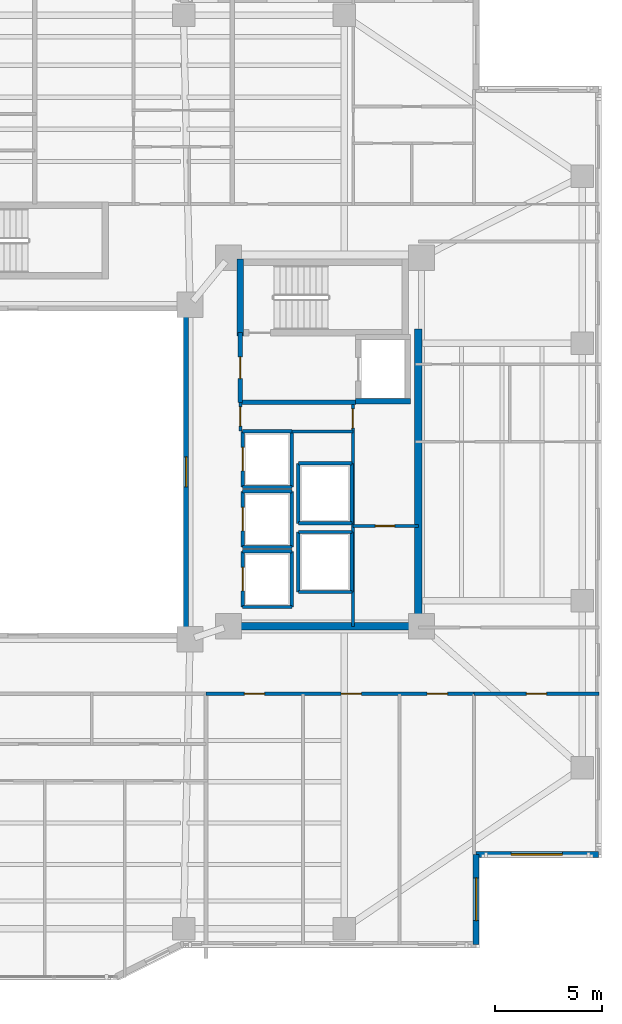
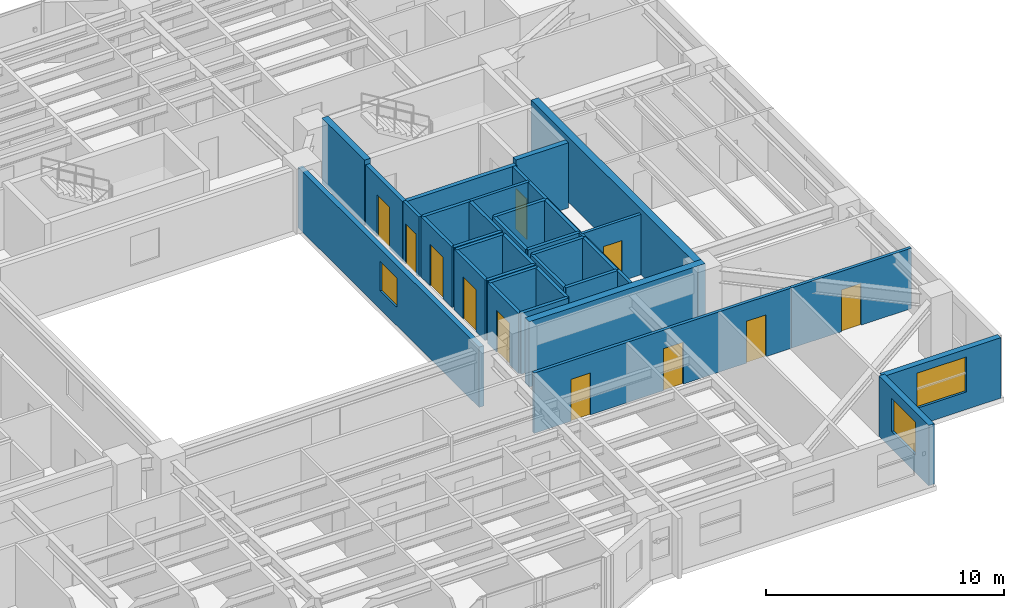
# One storey, part 8 of 18: 35 walls, 11 doors, 3 windows, 14 openings.
"""IFC4 building model written with IfcOpenShell, lengths in metres."""

from ifc_helpers import new_model, si_unit, direction, frame, frame_2d, origin, place, context, subcontext, project, spatial, rectangle, extrude, material, layer, layer_set, type_object, element, fill, save


model = new_model("IFC4")

# Units and contexts
model_context = context("Model", 3, precision=1e-05, world=origin(), true_north=direction((0.0, 1.0)))
body_context = subcontext(model_context, "Body", "Model", "MODEL_VIEW")
ifc_project = project(units=[si_unit("LENGTHUNIT", "METRE"), si_unit("AREAUNIT", "SQUARE_METRE"), si_unit("VOLUMEUNIT", "CUBIC_METRE"), si_unit("PLANEANGLEUNIT", "RADIAN"), si_unit("MASSUNIT", "GRAM", prefix="KILO")], contexts=[model_context])

# Site, building, storey
site_placement = place(None, origin())
site = spatial("IfcSite", under=ifc_project, at=site_placement, CompositionType="ELEMENT")
building_placement = place(site_placement, origin())
building = spatial("IfcBuilding", under=site, at=building_placement, Name="Tarnavaz Court Tower", CompositionType="ELEMENT")
storey_placement = place(building_placement, frame((0.0, 0.0, 91.699951171875)))
storey = spatial("IfcBuildingStorey", under=building, at=storey_placement, Name="L24", CompositionType="ELEMENT", Elevation=91.699951171875)

# Walls
ifc_material_1 = material(Name="Concrete C60/75", Category="concrete")
ifc_layer_1 = layer(ifc_material_1, 0.25)
ifc_layer_set_1 = layer_set([ifc_layer_1], Name="Concrete C60/75")
wall_type_1 = type_object("IfcWallType", Name="WL-CORE-250-C60", PredefinedType="SHEAR", material=ifc_layer_set_1)
wall_1_placement = place(storey_placement, frame((15.52490234375, 3.300048828125, 0.0), z_axis=(0.0, 0.0, 1.0), x_axis=(1.0, 0.0, 0.0)))
element("IfcWall", 1, at=wall_1_placement, inside=storey, type_object=wall_type_1, Name="L24 Lift FL-E1 Shaft Wall 035", PredefinedType="SHEAR", context=body_context, shape_type="SweptSolid", body=[
    extrude(rectangle(XDim=2.550048828125, YDim=0.25, at=frame_2d((1.27490234375, 0.0))), origin(), (0.0, 0.0, 1.0), 3.35009765625),
])
ifc_layer_2 = layer(ifc_material_1, 0.300048828125)
ifc_layer_set_2 = layer_set([ifc_layer_2], Name="Concrete C60/75")
wall_type_2 = type_object("IfcWallType", Name="WL-CORE-300-C60", PredefinedType="SHEAR", material=ifc_layer_set_2)
wall_2_placement = place(storey_placement, frame((10.14990234375, 6.35009765625, 0.0), z_axis=(0.0, 0.0, 1.0), x_axis=(0.0, 1.0, 0.0)))
element("IfcWall", 2, at=wall_2_placement, inside=storey, type_object=wall_type_2, Name="L24 East Stair Core Wall 007", PredefinedType="SHEAR", context=body_context, shape_type="SweptSolid", body=[
    extrude(rectangle(XDim=3.58984375, YDim=0.300048828125, at=frame_2d((1.794921875, 0.0))), origin(), (0.0, 0.0, 1.0), 3.35009765625),
])
ifc_layer_3 = layer(ifc_material_1, 0.35009765625)
ifc_layer_set_3 = layer_set([ifc_layer_3], Name="Concrete C60/75")
wall_type_3 = type_object("IfcWallType", Name="WL-CORE-350-C60", PredefinedType="SHEAR", material=ifc_layer_set_3)
wall_3_placement = place(storey_placement, frame((18.449951171875, -7.375, 0.0), z_axis=(0.0, 0.0, 1.0), x_axis=(0.0, 1.0, 0.0)))
element("IfcWall", 3, at=wall_3_placement, inside=storey, type_object=wall_type_3, Name="L24 East Core Shear Wall 059", PredefinedType="SHEAR", context=body_context, shape_type="SweptSolid", body=[
    extrude(rectangle(XDim=14.050048828125, YDim=0.35009765625, at=frame_2d((7.02490234375, 0.0))), origin(), (0.0, 0.0, 1.0), 3.35009765625),
])
wall_4_placement = place(storey_placement, frame((10.074951171875, -7.199951171875, 0.0), z_axis=(0.0, 0.0, 1.0), x_axis=(1.0, 0.0, 0.0)))
element("IfcWall", 4, at=wall_4_placement, inside=storey, type_object=wall_type_3, Name="L24 East Core South Shear Wall 060", PredefinedType="SHEAR", context=body_context, shape_type="SweptSolid", body=[
    extrude(rectangle(XDim=8.550048828125, YDim=0.35009765625, at=frame_2d((4.27490234375, 0.0))), origin(), (0.0, 0.0, 1.0), 3.35009765625),
])

# Wall, opening, window
ifc_material_2 = material(Name="Precast Concrete C40/50", Category="concrete")
ifc_layer_4 = layer(ifc_material_2, 0.280029296875)
ifc_layer_set_4 = layer_set([ifc_layer_4], Name="Precast Concrete C40/50")
wall_type_4 = type_object("IfcWallType", Name="WL-EXT-280", PredefinedType="SOLIDWALL", material=ifc_layer_set_4)
wall_5_placement = place(storey_placement, frame((26.85009765625, -17.85009765625, 0.0), z_axis=(0.0, 0.0, 1.0), x_axis=(-1.0, 0.0, 0.0)))
wall_5 = element("IfcWall", 5, at=wall_5_placement, inside=storey, type_object=wall_type_4, Name="L24 Exterior Terracotta Facade Wall 13", PredefinedType="SOLIDWALL", context=body_context, shape_type="SweptSolid", body=[
    extrude(rectangle(XDim=5.7001953125, YDim=0.280029296875, at=frame_2d((2.85009765625, 0.0))), origin(), (0.0, 0.0, 1.0), 3.10009765625),
])
opening_1_placement = place(wall_5_placement, frame((1.675048828125, 0.0, 0.89990234375)))
opening_1 = element("IfcOpeningElement", 6, at=opening_1_placement, cuts=wall_5, Name="Opening W06", PredefinedType="OPENING", context=body_context, shape_type="SweptSolid", body=[
    extrude(rectangle(XDim=2.39990234375, YDim=1.800048828125, at=frame_2d((1.199951171875, 0.89990234375))), frame((0.0, 0.14990234375, 0.0), z_axis=(0.0, -1.0, 0.0), x_axis=(1.0, 0.0, 0.0)), (0.0, 0.0, 1.0), 0.300048828125),
])
ifc_material_3 = material(Name="Double-Glazed Solar Low-E Glass", Category="glass")
window_type_1 = type_object("IfcWindowType", Name="WN-APT-2400", PartitioningType="TRIPLE_PANEL_VERTICAL", PredefinedType="WINDOW", material=ifc_material_3)
window_1_placement = place(opening_1_placement, origin())
window_1 = element("IfcWindow", 7, at=window_1_placement, inside=storey, type_object=window_type_1, Name="L24 South-East Corner Reading Room Window", OverallHeight=1.800048828125, OverallWidth=2.39990234375, PartitioningType="SINGLE_PANEL", PredefinedType="WINDOW", context=body_context, shape_type="SweptSolid", body=[
    extrude(rectangle(XDim=2.39990234375, YDim=1.800048828125, at=frame_2d((1.199951171875, 0.89990234375))), frame((0.0, 0.030029296875, 0.0), z_axis=(0.0, -1.0, 0.0), x_axis=(1.0, 0.0, 0.0)), (0.0, 0.0, 1.0), 0.06005859375),
])
fill(opening_1, window_1)

wall_6_placement = place(storey_placement, frame((21.14990234375, -17.85009765625, 0.0), z_axis=(0.0, 0.0, 1.0), x_axis=(0.0, -1.0, 0.0)))
wall_6 = element("IfcWall", 8, at=wall_6_placement, inside=storey, type_object=wall_type_4, Name="L24 Exterior Terracotta Facade Wall 14", PredefinedType="SOLIDWALL", context=body_context, shape_type="SweptSolid", body=[
    extrude(rectangle(XDim=4.199951171875, YDim=0.280029296875, at=frame_2d((2.10009765625, 0.0))), origin(), (0.0, 0.0, 1.0), 3.10009765625),
])
opening_2_placement = place(wall_6_placement, frame((1.082275390625, 0.0, 0.89990234375)))
opening_2 = element("IfcOpeningElement", 9, at=opening_2_placement, cuts=wall_6, Name="Opening W08", PredefinedType="OPENING", context=body_context, shape_type="SweptSolid", body=[
    extrude(rectangle(XDim=2.0, YDim=1.699951171875, at=frame_2d((1.0, 0.85009765625))), frame((0.0, 0.14990234375, 0.0), z_axis=(0.0, -1.0, 0.0), x_axis=(1.0, 0.0, 0.0)), (0.0, 0.0, 1.0), 0.300048828125),
])
window_type_2 = type_object("IfcWindowType", Name="WN-APT-2000", PartitioningType="DOUBLE_PANEL_VERTICAL", PredefinedType="WINDOW", material=ifc_material_3)
window_2_placement = place(opening_2_placement, origin())
window_2 = element("IfcWindow", 10, at=window_2_placement, inside=storey, type_object=window_type_2, Name="L24 Resident Focus Seminar Room Window", OverallHeight=1.699951171875, OverallWidth=2.0, PartitioningType="SINGLE_PANEL", PredefinedType="WINDOW", context=body_context, shape_type="SweptSolid", body=[
    extrude(rectangle(XDim=2.0, YDim=1.699951171875, at=frame_2d((1.0, 0.85009765625))), frame((0.0, 0.030029296875, 0.0), z_axis=(0.0, -1.0, 0.0), x_axis=(1.0, 0.0, 0.0)), (0.0, 0.0, 1.0), 0.06005859375),
])
fill(opening_2, window_2)

# Wall, openings, doors
ifc_material_4 = material(Name="Gypsum Fire-Board on Acoustic Metal Stud", Category="masonry")
ifc_layer_5 = layer(ifc_material_4, 0.14990234375)
ifc_layer_set_5 = layer_set([ifc_layer_5], Name="Gypsum Fire-Board on Acoustic Metal Stud")
wall_type_5 = type_object("IfcWallType", Name="WL-FIRE-150", PredefinedType="PARTITIONING", material=ifc_layer_set_5)
wall_7_placement = place(storey_placement, frame((8.550048828125, -10.35009765625, 0.0), z_axis=(0.0, 0.0, 1.0), x_axis=(1.0, 0.0, 0.0)))
wall_7 = element("IfcWall", 11, at=wall_7_placement, inside=storey, type_object=wall_type_5, Name="L24 SE Horseshoe Wall 074", PredefinedType="PARTITIONING", context=body_context, shape_type="SweptSolid", body=[
    extrude(rectangle(XDim=12.5, YDim=0.14990234375, at=frame_2d((6.25, 0.0))), origin(), (0.0, 0.0, 1.0), 3.10009765625),
])
opening_3_placement = place(wall_7_placement, frame((1.785888671875, 0.0, 0.0)))
opening_3 = element("IfcOpeningElement", 12, at=opening_3_placement, cuts=wall_7, Name="Opening D13", PredefinedType="OPENING", context=body_context, shape_type="SweptSolid", body=[
    extrude(rectangle(XDim=0.949951171875, YDim=2.14990234375, at=frame_2d((0.47509765625, 1.074951171875))), frame((0.0, 0.0849609375, 0.0), z_axis=(0.0, -1.0, 0.0), x_axis=(1.0, 0.0, 0.0)), (0.0, 0.0, 1.0), 0.169921875),
])
opening_4_placement = place(wall_7_placement, frame((6.298095703125, 0.0, 0.0)))
opening_4 = element("IfcOpeningElement", 13, at=opening_4_placement, cuts=wall_7, Name="Opening D13", PredefinedType="OPENING", context=body_context, shape_type="SweptSolid", body=[
    extrude(rectangle(XDim=0.949951171875, YDim=2.14990234375, at=frame_2d((0.47509765625, 1.074951171875))), frame((0.0, 0.0849609375, 0.0), z_axis=(0.0, -1.0, 0.0), x_axis=(1.0, 0.0, 0.0)), (0.0, 0.0, 1.0), 0.169921875),
])
opening_5_placement = place(wall_7_placement, frame((10.31201171875, 0.0, 0.0)))
opening_5 = element("IfcOpeningElement", 14, at=opening_5_placement, cuts=wall_7, Name="Opening D13", PredefinedType="OPENING", context=body_context, shape_type="SweptSolid", body=[
    extrude(rectangle(XDim=0.949951171875, YDim=2.14990234375, at=frame_2d((0.47509765625, 1.074951171875))), frame((0.0, 0.0849609375, 0.0), z_axis=(0.0, -1.0, 0.0), x_axis=(1.0, 0.0, 0.0)), (0.0, 0.0, 1.0), 0.169921875),
])
ifc_material_5 = material(Name="Engineered Oak Timber", Category="wood")
door_type_1 = type_object("IfcDoorType", Name="DR-INT-950", OperationType="NOTDEFINED", PredefinedType="DOOR", material=ifc_material_5)
door_1_placement = place(opening_3_placement, origin())
door_1 = element("IfcDoor", 15, at=door_1_placement, inside=storey, type_object=door_type_1, Name="L24 Resident Co-Working Study Room Door", OperationType="SINGLE_SWING_LEFT", OverallHeight=2.14990234375, OverallWidth=0.949951171875, PredefinedType="DOOR", context=body_context, shape_type="SweptSolid", body=[
    extrude(rectangle(XDim=0.949951171875, YDim=2.14990234375, at=frame_2d((0.47509765625, 1.074951171875))), frame((0.0, 0.02490234375, 0.0), z_axis=(0.0, -1.0, 0.0), x_axis=(1.0, 0.0, 0.0)), (0.0, 0.0, 1.0), 0.050048828125),
])
fill(opening_3, door_1)
door_2_placement = place(opening_4_placement, origin())
door_2 = element("IfcDoor", 16, at=door_2_placement, inside=storey, type_object=door_type_1, Name="L24 Quiet Reading Library Room Door", OperationType="SINGLE_SWING_RIGHT", OverallHeight=2.14990234375, OverallWidth=0.949951171875, PredefinedType="DOOR", context=body_context, shape_type="SweptSolid", body=[
    extrude(rectangle(XDim=0.949951171875, YDim=2.14990234375, at=frame_2d((0.47509765625, 1.074951171875))), frame((0.0, 0.02490234375, 0.0), z_axis=(0.0, -1.0, 0.0), x_axis=(1.0, 0.0, 0.0)), (0.0, 0.0, 1.0), 0.050048828125),
])
fill(opening_4, door_2)
door_3_placement = place(opening_5_placement, origin())
door_3 = element("IfcDoor", 17, at=door_3_placement, inside=storey, type_object=door_type_1, Name="L24 Resident Focus Seminar Room Door", OperationType="SINGLE_SWING_LEFT", OverallHeight=2.14990234375, OverallWidth=0.949951171875, PredefinedType="DOOR", context=body_context, shape_type="SweptSolid", body=[
    extrude(rectangle(XDim=0.949951171875, YDim=2.14990234375, at=frame_2d((0.47509765625, 1.074951171875))), frame((0.0, 0.02490234375, 0.0), z_axis=(0.0, -1.0, 0.0), x_axis=(1.0, 0.0, 0.0)), (0.0, 0.0, 1.0), 0.050048828125),
])
fill(opening_5, door_3)

# Wall, opening, door
wall_8_placement = place(storey_placement, frame((21.050048828125, -10.35009765625, 0.0), z_axis=(0.0, 0.0, 1.0), x_axis=(1.0, 0.0, 0.0)))
wall_8 = element("IfcWall", 18, at=wall_8_placement, inside=storey, type_object=wall_type_5, Name="L24 Interior Partition 119", PredefinedType="PARTITIONING", context=body_context, shape_type="SweptSolid", body=[
    extrude(rectangle(XDim=5.829833984375, YDim=0.14990234375, at=frame_2d((2.9150390625, 0.0))), origin(), (0.0, 0.0, 1.0), 3.10009765625),
])
opening_6_placement = place(wall_8_placement, frame((2.43994140625, 0.0, 0.0)))
opening_6 = element("IfcOpeningElement", 19, at=opening_6_placement, cuts=wall_8, Name="Opening D13", PredefinedType="OPENING", context=body_context, shape_type="SweptSolid", body=[
    extrude(rectangle(XDim=0.949951171875, YDim=2.14990234375, at=frame_2d((0.47509765625, 1.074951171875))), frame((0.0, 0.0849609375, 0.0), z_axis=(0.0, -1.0, 0.0), x_axis=(1.0, 0.0, 0.0)), (0.0, 0.0, 1.0), 0.169921875),
])
door_4_placement = place(opening_6_placement, origin())
door_4 = element("IfcDoor", 20, at=door_4_placement, inside=storey, type_object=door_type_1, Name="L24 SE Reading Room Door", OperationType="SINGLE_SWING_RIGHT", OverallHeight=2.14990234375, OverallWidth=0.949951171875, PredefinedType="DOOR", context=body_context, shape_type="SweptSolid", body=[
    extrude(rectangle(XDim=0.949951171875, YDim=2.14990234375, at=frame_2d((0.47509765625, 1.074951171875))), frame((0.0, 0.02490234375, 0.0), z_axis=(0.0, -1.0, 0.0), x_axis=(1.0, 0.0, 0.0)), (0.0, 0.0, 1.0), 0.050048828125),
])
fill(opening_6, door_4)

# Wall
ifc_material_6 = material(Name="Autoclaved Aerated Concrete Blockwork", Category="masonry")
ifc_layer_6 = layer(ifc_material_6, 0.199951171875)
ifc_layer_set_6 = layer_set([ifc_layer_6], Name="Autoclaved Aerated Concrete Blockwork")
wall_type_6 = type_object("IfcWallType", Name="WL-FIRE-200", PredefinedType="SOLIDWALL", material=ifc_layer_set_6)
wall_9_placement = place(storey_placement, frame((10.14990234375, 3.25, 0.0), z_axis=(0.0, 0.0, 1.0), x_axis=(1.0, 0.0, 0.0)))
element("IfcWall", 21, at=wall_9_placement, inside=storey, type_object=wall_type_6, Name="L24 East Firefighting Lobby Wall 015", PredefinedType="SOLIDWALL", context=body_context, shape_type="SweptSolid", body=[
    extrude(rectangle(XDim=5.400146484375, YDim=0.199951171875, at=frame_2d((2.7001953125, 0.0))), origin(), (0.0, 0.0, 1.0), 3.10009765625),
])

# Wall, opening, door
wall_10_placement = place(storey_placement, frame((10.14990234375, 3.25, 0.0), z_axis=(0.0, 0.0, 1.0), x_axis=(0.0, 1.0, 0.0)))
wall_10 = element("IfcWall", 22, at=wall_10_placement, inside=storey, type_object=wall_type_6, Name="L24 East Firefighting Lobby Wall 016", PredefinedType="SOLIDWALL", context=body_context, shape_type="SweptSolid", body=[
    extrude(rectangle(XDim=3.25, YDim=0.199951171875, at=frame_2d((1.625, 0.0))), origin(), (0.0, 0.0, 1.0), 3.10009765625),
])
opening_7_placement = place(wall_10_placement, frame((1.10009765625, 0.0, 0.0)))
opening_7 = element("IfcOpeningElement", 23, at=opening_7_placement, cuts=wall_10, Name="Opening D05", PredefinedType="OPENING", context=body_context, shape_type="SweptSolid", body=[
    extrude(rectangle(XDim=1.02001953125, YDim=2.14990234375, at=frame_2d((0.510009765625, 1.074951171875))), frame((0.0, 0.10986328125, 0.0), z_axis=(0.0, -1.0, 0.0), x_axis=(1.0, 0.0, 0.0)), (0.0, 0.0, 1.0), 0.219970703125),
])
ifc_material_7 = material(Name="Fire-Rated Hardwood Timber Core", Category="wood")
door_type_2 = type_object("IfcDoorType", Name="DR-FD60-1000", OperationType="NOTDEFINED", PredefinedType="DOOR", material=ifc_material_7)
door_5_placement = place(opening_7_placement, origin())
door_5 = element("IfcDoor", 24, at=door_5_placement, inside=storey, type_object=door_type_2, Name="L24 East Firefighting Lobby Door", OperationType="SINGLE_SWING_LEFT", OverallHeight=2.14990234375, OverallWidth=1.02001953125, PredefinedType="DOOR", context=body_context, shape_type="SweptSolid", body=[
    extrude(rectangle(XDim=1.02001953125, YDim=2.14990234375, at=frame_2d((0.510009765625, 1.074951171875))), frame((0.0, 0.02490234375, 0.0), z_axis=(0.0, -1.0, 0.0), x_axis=(1.0, 0.0, 0.0)), (0.0, 0.0, 1.0), 0.050048828125),
])
fill(opening_7, door_5)

# Wall
ifc_material_8 = material(Name="Gypsum Plasterboard Acoustic Partition", Category="masonry")
ifc_layer_7 = layer(ifc_material_8, 0.139892578125)
ifc_layer_set_7 = layer_set([ifc_layer_7], Name="Gypsum Plasterboard Acoustic Partition")
wall_type_7 = type_object("IfcWallType", Name="WL-PART-150", PredefinedType="PARTITIONING", material=ifc_layer_set_7)
wall_11_placement = place(storey_placement, frame((12.550048828125, 1.89990234375, 0.0), z_axis=(0.0, 0.0, 1.0), x_axis=(1.0, 0.0, 0.0)))
element("IfcWall", 25, at=wall_11_placement, inside=storey, type_object=wall_type_7, Name="L24 Interior Partition 067", PredefinedType="PARTITIONING", context=body_context, shape_type="SweptSolid", body=[
    extrude(rectangle(XDim=2.849853515625, YDim=0.139892578125, at=frame_2d((1.4248046875, 0.0))), origin(), (0.0, 0.0, 1.0), 3.10009765625),
])

# Wall, opening, door
wall_12_placement = place(storey_placement, frame((10.14990234375, 1.919921875, 0.0), z_axis=(0.0, 0.0, 1.0), x_axis=(0.0, 1.0, 0.0)))
wall_12 = element("IfcWall", 26, at=wall_12_placement, inside=storey, type_object=wall_type_7, Name="L24 Interior Partition 068", PredefinedType="PARTITIONING", context=body_context, shape_type="SweptSolid", body=[
    extrude(rectangle(XDim=1.330078125, YDim=0.139892578125, at=frame_2d((0.6650390625, 0.0))), origin(), (0.0, 0.0, 1.0), 3.10009765625),
])
opening_8_placement = place(wall_12_placement, frame((0.219970703125, 0.0, 0.0)))
opening_8 = element("IfcOpeningElement", 27, at=opening_8_placement, cuts=wall_12, Name="Opening D09", PredefinedType="OPENING", context=body_context, shape_type="SweptSolid", body=[
    extrude(rectangle(XDim=0.89990234375, YDim=2.080078125, at=frame_2d((0.449951171875, 1.0400390625))), frame((0.0, 0.079833984375, 0.0), z_axis=(0.0, -1.0, 0.0), x_axis=(1.0, 0.0, 0.0)), (0.0, 0.0, 1.0), 0.159912109375),
])
door_type_3 = type_object("IfcDoorType", Name="DR-FD30-900", OperationType="NOTDEFINED", PredefinedType="DOOR", material=ifc_material_7)
door_6_placement = place(opening_8_placement, origin())
door_6 = element("IfcDoor", 28, at=door_6_placement, inside=storey, type_object=door_type_3, Name="L24 East Core Service Lobby Door", OperationType="SINGLE_SWING_RIGHT", OverallHeight=2.080078125, OverallWidth=0.89990234375, PredefinedType="DOOR", context=body_context, shape_type="SweptSolid", body=[
    extrude(rectangle(XDim=0.89990234375, YDim=2.080078125, at=frame_2d((0.449951171875, 1.0400390625))), frame((0.0, 0.02490234375, 0.0), z_axis=(0.0, -1.0, 0.0), x_axis=(1.0, 0.0, 0.0)), (0.0, 0.0, 1.0), 0.050048828125),
])
fill(opening_8, door_6)

wall_13_placement = place(storey_placement, frame((15.39990234375, -7.199951171875, 0.0), z_axis=(0.0, 0.0, 1.0), x_axis=(0.0, 1.0, 0.0)))
wall_13 = element("IfcWall", 29, at=wall_13_placement, inside=storey, type_object=wall_type_7, Name="L24 Interior Partition 069", PredefinedType="PARTITIONING", context=body_context, shape_type="SweptSolid", body=[
    extrude(rectangle(XDim=10.449951171875, YDim=0.139892578125, at=frame_2d((5.22509765625, 0.0))), origin(), (0.0, 0.0, 1.0), 3.10009765625),
])
opening_9_placement = place(wall_13_placement, frame((9.25, 0.0, 0.0)))
opening_9 = element("IfcOpeningElement", 30, at=opening_9_placement, cuts=wall_13, Name="Opening D09", PredefinedType="OPENING", context=body_context, shape_type="SweptSolid", body=[
    extrude(rectangle(XDim=0.89990234375, YDim=2.080078125, at=frame_2d((0.449951171875, 1.0400390625))), frame((0.0, 0.079833984375, 0.0), z_axis=(0.0, -1.0, 0.0), x_axis=(1.0, 0.0, 0.0)), (0.0, 0.0, 1.0), 0.159912109375),
])
door_7_placement = place(opening_9_placement, origin())
door_7 = element("IfcDoor", 31, at=door_7_placement, inside=storey, type_object=door_type_3, Name="L24 East Wet Riser Door", OperationType="SINGLE_SWING_LEFT", OverallHeight=2.080078125, OverallWidth=0.89990234375, PredefinedType="DOOR", context=body_context, shape_type="SweptSolid", body=[
    extrude(rectangle(XDim=0.89990234375, YDim=2.080078125, at=frame_2d((0.449951171875, 1.0400390625))), frame((0.0, 0.02490234375, 0.0), z_axis=(0.0, -1.0, 0.0), x_axis=(1.0, 0.0, 0.0)), (0.0, 0.0, 1.0), 0.050048828125),
])
fill(opening_9, door_7)

wall_14_placement = place(storey_placement, frame((15.39990234375, -2.52001953125, 0.0), z_axis=(0.0, 0.0, 1.0), x_axis=(1.0, 0.0, 0.0)))
wall_14 = element("IfcWall", 32, at=wall_14_placement, inside=storey, type_object=wall_type_7, Name="L24 Interior Partition 070", PredefinedType="PARTITIONING", context=body_context, shape_type="SweptSolid", body=[
    extrude(rectangle(XDim=3.050048828125, YDim=0.139892578125, at=frame_2d((1.52490234375, 0.0))), origin(), (0.0, 0.0, 1.0), 3.10009765625),
])
opening_10_placement = place(wall_14_placement, frame((1.050048828125, 0.0, 0.0)))
opening_10 = element("IfcOpeningElement", 33, at=opening_10_placement, cuts=wall_14, Name="Opening D09", PredefinedType="OPENING", context=body_context, shape_type="SweptSolid", body=[
    extrude(rectangle(XDim=0.89990234375, YDim=2.080078125, at=frame_2d((0.449951171875, 1.0400390625))), frame((0.0, 0.079833984375, 0.0), z_axis=(0.0, -1.0, 0.0), x_axis=(1.0, 0.0, 0.0)), (0.0, 0.0, 1.0), 0.159912109375),
])
door_8_placement = place(opening_10_placement, origin())
door_8 = element("IfcDoor", 34, at=door_8_placement, inside=storey, type_object=door_type_3, Name="L24 East Electrical Plant Door", OperationType="SINGLE_SWING_RIGHT", OverallHeight=2.080078125, OverallWidth=0.89990234375, PredefinedType="DOOR", context=body_context, shape_type="SweptSolid", body=[
    extrude(rectangle(XDim=0.89990234375, YDim=2.080078125, at=frame_2d((0.449951171875, 1.0400390625))), frame((0.0, 0.02490234375, 0.0), z_axis=(0.0, -1.0, 0.0), x_axis=(1.0, 0.0, 0.0)), (0.0, 0.0, 1.0), 0.050048828125),
])
fill(opening_10, door_8)

ifc_layer_8 = layer(ifc_material_6, 0.159912109375)
ifc_layer_set_8 = layer_set([ifc_layer_8], Name="Autoclaved Aerated Concrete Blockwork")
wall_type_8 = type_object("IfcWallType", Name="WL-SHAFT-150", PredefinedType="SOLIDWALL", material=ifc_layer_set_8)
wall_15_placement = place(storey_placement, frame((10.25, -6.300048828125, 0.0), z_axis=(0.0, 0.0, 1.0), x_axis=(0.0, 1.0, 0.0)))
wall_15 = element("IfcWall", 35, at=wall_15_placement, inside=storey, type_object=wall_type_8, Name="L24 Lift PL-M1 Shaft Wall 037", PredefinedType="SOLIDWALL", context=body_context, shape_type="SweptSolid", body=[
    extrude(rectangle(XDim=2.60009765625, YDim=0.159912109375, at=frame_2d((1.300048828125, 0.0))), origin(), (0.0, 0.0, 1.0), 3.10009765625),
])
opening_11_placement = place(wall_15_placement, frame((0.75, 0.0, 0.0)))
opening_11 = element("IfcOpeningElement", 36, at=opening_11_placement, cuts=wall_15, Name="Opening LD1", PredefinedType="OPENING", context=body_context, shape_type="SweptSolid", body=[
    extrude(rectangle(XDim=1.10009765625, YDim=2.14990234375, at=frame_2d((0.550048828125, 1.074951171875))), frame((0.0, 0.08984375, 0.0), z_axis=(0.0, -1.0, 0.0), x_axis=(1.0, 0.0, 0.0)), (0.0, 0.0, 1.0), 0.179931640625),
])
ifc_material_9 = material(Name="Stainless Steel", Category="steel")
door_type_4 = type_object("IfcDoorType", Name="DR-LD-1100", OperationType="NOTDEFINED", PredefinedType="DOOR", material=ifc_material_9)
door_9_placement = place(opening_11_placement, origin())
door_9 = element("IfcDoor", 37, at=door_9_placement, inside=storey, type_object=door_type_4, Name="L24 Lift Landing Door LD-PL-M1", OperationType="SLIDING_TO_LEFT", OverallHeight=2.14990234375, OverallWidth=1.10009765625, PredefinedType="DOOR", context=body_context, shape_type="SweptSolid", body=[
    extrude(rectangle(XDim=1.10009765625, YDim=2.14990234375, at=frame_2d((0.550048828125, 1.074951171875))), frame((0.0, 0.02490234375, 0.0), z_axis=(0.0, -1.0, 0.0), x_axis=(1.0, 0.0, 0.0)), (0.0, 0.0, 1.0), 0.050048828125),
])
fill(opening_11, door_9)

# Walls
wall_16_placement = place(storey_placement, frame((12.550048828125, -6.300048828125, 0.0), z_axis=(0.0, 0.0, 1.0), x_axis=(0.0, 1.0, 0.0)))
element("IfcWall", 38, at=wall_16_placement, inside=storey, type_object=wall_type_8, Name="L24 Lift PL-M1 Shaft Wall 038", PredefinedType="SOLIDWALL", context=body_context, shape_type="SweptSolid", body=[
    extrude(rectangle(XDim=2.60009765625, YDim=0.159912109375, at=frame_2d((1.300048828125, 0.0))), origin(), (0.0, 0.0, 1.0), 3.10009765625),
])
for number, where, z_axis, x_axis, name in (
    (39, (10.25, -6.300048828125, 0.0), (0.0, 0.0, 1.0), (1.0, 0.0, 0.0), "L24 Lift PL-M1 Shaft Wall 039"),
    (40, (10.25, -3.699951171875, 0.0), (0.0, 0.0, 1.0), (1.0, 0.0, 0.0), "L24 Lift PL-M1 Shaft Wall 040"),
):
    element("IfcWall", number, at=place(storey_placement, frame(where, z_axis=z_axis, x_axis=x_axis)), inside=storey, type_object=wall_type_8, Name=name, PredefinedType="SOLIDWALL", context=body_context, shape_type="SweptSolid", body=[
        extrude(rectangle(XDim=2.300048828125, YDim=0.159912109375, at=frame_2d((1.14990234375, 0.0))), origin(), (0.0, 0.0, 1.0), 3.10009765625),
    ])

# Wall, opening, door
wall_17_placement = place(storey_placement, frame((10.25, -3.5, 0.0), z_axis=(0.0, 0.0, 1.0), x_axis=(0.0, 1.0, 0.0)))
wall_17 = element("IfcWall", 41, at=wall_17_placement, inside=storey, type_object=wall_type_8, Name="L24 Lift PL-M2 Shaft Wall 041", PredefinedType="SOLIDWALL", context=body_context, shape_type="SweptSolid", body=[
    extrude(rectangle(XDim=2.60009765625, YDim=0.159912109375, at=frame_2d((1.300048828125, 0.0))), origin(), (0.0, 0.0, 1.0), 3.10009765625),
])
opening_12_placement = place(wall_17_placement, frame((0.75, 0.0, 0.0)))
opening_12 = element("IfcOpeningElement", 42, at=opening_12_placement, cuts=wall_17, Name="Opening LD1", PredefinedType="OPENING", context=body_context, shape_type="SweptSolid", body=[
    extrude(rectangle(XDim=1.10009765625, YDim=2.14990234375, at=frame_2d((0.550048828125, 1.074951171875))), frame((0.0, 0.08984375, 0.0), z_axis=(0.0, -1.0, 0.0), x_axis=(1.0, 0.0, 0.0)), (0.0, 0.0, 1.0), 0.179931640625),
])
door_10_placement = place(opening_12_placement, origin())
door_10 = element("IfcDoor", 43, at=door_10_placement, inside=storey, type_object=door_type_4, Name="L24 Lift Landing Door LD-PL-M2", OperationType="SLIDING_TO_LEFT", OverallHeight=2.14990234375, OverallWidth=1.10009765625, PredefinedType="DOOR", context=body_context, shape_type="SweptSolid", body=[
    extrude(rectangle(XDim=1.10009765625, YDim=2.14990234375, at=frame_2d((0.550048828125, 1.074951171875))), frame((0.0, 0.02490234375, 0.0), z_axis=(0.0, -1.0, 0.0), x_axis=(1.0, 0.0, 0.0)), (0.0, 0.0, 1.0), 0.050048828125),
])
fill(opening_12, door_10)

# Walls
wall_18_placement = place(storey_placement, frame((12.550048828125, -3.5, 0.0), z_axis=(0.0, 0.0, 1.0), x_axis=(0.0, 1.0, 0.0)))
element("IfcWall", 44, at=wall_18_placement, inside=storey, type_object=wall_type_8, Name="L24 Lift PL-M2 Shaft Wall 042", PredefinedType="SOLIDWALL", context=body_context, shape_type="SweptSolid", body=[
    extrude(rectangle(XDim=2.60009765625, YDim=0.159912109375, at=frame_2d((1.300048828125, 0.0))), origin(), (0.0, 0.0, 1.0), 3.10009765625),
])
for number, where, z_axis, x_axis, name in (
    (45, (10.25, -3.5, 0.0), (0.0, 0.0, 1.0), (1.0, 0.0, 0.0), "L24 Lift PL-M2 Shaft Wall 043"),
    (46, (10.25, -0.89990234375, 0.0), (0.0, 0.0, 1.0), (1.0, 0.0, 0.0), "L24 Lift PL-M2 Shaft Wall 044"),
):
    element("IfcWall", number, at=place(storey_placement, frame(where, z_axis=z_axis, x_axis=x_axis)), inside=storey, type_object=wall_type_8, Name=name, PredefinedType="SOLIDWALL", context=body_context, shape_type="SweptSolid", body=[
        extrude(rectangle(XDim=2.300048828125, YDim=0.159912109375, at=frame_2d((1.14990234375, 0.0))), origin(), (0.0, 0.0, 1.0), 3.10009765625),
    ])

# Wall, opening, door
wall_19_placement = place(storey_placement, frame((10.25, -0.699951171875, 0.0), z_axis=(0.0, 0.0, 1.0), x_axis=(0.0, 1.0, 0.0)))
wall_19 = element("IfcWall", 47, at=wall_19_placement, inside=storey, type_object=wall_type_8, Name="L24 Lift PL-M3 Shaft Wall 045", PredefinedType="SOLIDWALL", context=body_context, shape_type="SweptSolid", body=[
    extrude(rectangle(XDim=2.599853515625, YDim=0.159912109375, at=frame_2d((1.2998046875, 0.0))), origin(), (0.0, 0.0, 1.0), 3.10009765625),
])
opening_13_placement = place(wall_19_placement, frame((0.75, 0.0, 0.0)))
opening_13 = element("IfcOpeningElement", 48, at=opening_13_placement, cuts=wall_19, Name="Opening LD1", PredefinedType="OPENING", context=body_context, shape_type="SweptSolid", body=[
    extrude(rectangle(XDim=1.10009765625, YDim=2.14990234375, at=frame_2d((0.550048828125, 1.074951171875))), frame((0.0, 0.08984375, 0.0), z_axis=(0.0, -1.0, 0.0), x_axis=(1.0, 0.0, 0.0)), (0.0, 0.0, 1.0), 0.179931640625),
])
door_11_placement = place(opening_13_placement, origin())
door_11 = element("IfcDoor", 49, at=door_11_placement, inside=storey, type_object=door_type_4, Name="L24 Lift Landing Door LD-PL-M3", OperationType="SLIDING_TO_LEFT", OverallHeight=2.14990234375, OverallWidth=1.10009765625, PredefinedType="DOOR", context=body_context, shape_type="SweptSolid", body=[
    extrude(rectangle(XDim=1.10009765625, YDim=2.14990234375, at=frame_2d((0.550048828125, 1.074951171875))), frame((0.0, 0.02490234375, 0.0), z_axis=(0.0, -1.0, 0.0), x_axis=(1.0, 0.0, 0.0)), (0.0, 0.0, 1.0), 0.050048828125),
])
fill(opening_13, door_11)

# Walls
wall_20_placement = place(storey_placement, frame((12.550048828125, -0.699951171875, 0.0), z_axis=(0.0, 0.0, 1.0), x_axis=(0.0, 1.0, 0.0)))
element("IfcWall", 50, at=wall_20_placement, inside=storey, type_object=wall_type_8, Name="L24 Lift PL-M3 Shaft Wall 046", PredefinedType="SOLIDWALL", context=body_context, shape_type="SweptSolid", body=[
    extrude(rectangle(XDim=2.599853515625, YDim=0.159912109375, at=frame_2d((1.2998046875, 0.0))), origin(), (0.0, 0.0, 1.0), 3.10009765625),
])
for number, where, z_axis, x_axis, name in (
    (51, (10.25, -0.699951171875, 0.0), (0.0, 0.0, 1.0), (1.0, 0.0, 0.0), "L24 Lift PL-M3 Shaft Wall 047"),
    (52, (10.25, 1.89990234375, 0.0), (0.0, 0.0, 1.0), (1.0, 0.0, 0.0), "L24 Lift PL-M3 Shaft Wall 048"),
):
    element("IfcWall", number, at=place(storey_placement, frame(where, z_axis=z_axis, x_axis=x_axis)), inside=storey, type_object=wall_type_8, Name=name, PredefinedType="SOLIDWALL", context=body_context, shape_type="SweptSolid", body=[
        extrude(rectangle(XDim=2.300048828125, YDim=0.159912109375, at=frame_2d((1.14990234375, 0.0))), origin(), (0.0, 0.0, 1.0), 3.10009765625),
    ])
for number, where, z_axis, x_axis, name in (
    (53, (12.85009765625, -5.60009765625, 0.0), (0.0, 0.0, 1.0), (0.0, 1.0, 0.0), "L24 Lift PL-OB1 Shaft Wall 049"),
    (54, (15.35009765625, -5.60009765625, 0.0), (0.0, 0.0, 1.0), (0.0, 1.0, 0.0), "L24 Lift PL-OB1 Shaft Wall 050"),
):
    element("IfcWall", number, at=place(storey_placement, frame(where, z_axis=z_axis, x_axis=x_axis)), inside=storey, type_object=wall_type_8, Name=name, PredefinedType="SOLIDWALL", context=body_context, shape_type="SweptSolid", body=[
        extrude(rectangle(XDim=2.800048828125, YDim=0.159912109375, at=frame_2d((1.39990234375, 0.0))), origin(), (0.0, 0.0, 1.0), 3.10009765625),
    ])
for number, where, z_axis, x_axis, name in (
    (55, (12.85009765625, -5.60009765625, 0.0), (0.0, 0.0, 1.0), (1.0, 0.0, 0.0), "L24 Lift PL-OB1 Shaft Wall 051"),
    (56, (12.85009765625, -2.800048828125, 0.0), (0.0, 0.0, 1.0), (1.0, 0.0, 0.0), "L24 Lift PL-OB1 Shaft Wall 052"),
):
    element("IfcWall", number, at=place(storey_placement, frame(where, z_axis=z_axis, x_axis=x_axis)), inside=storey, type_object=wall_type_8, Name=name, PredefinedType="SOLIDWALL", context=body_context, shape_type="SweptSolid", body=[
        extrude(rectangle(XDim=2.5, YDim=0.159912109375, at=frame_2d((1.25, 0.0))), origin(), (0.0, 0.0, 1.0), 3.10009765625),
    ])
for number, where, z_axis, x_axis, name in (
    (57, (12.85009765625, -2.39990234375, 0.0), (0.0, 0.0, 1.0), (0.0, 1.0, 0.0), "L24 Lift PL-OB2 Shaft Wall 053"),
    (58, (15.35009765625, -2.39990234375, 0.0), (0.0, 0.0, 1.0), (0.0, 1.0, 0.0), "L24 Lift PL-OB2 Shaft Wall 054"),
):
    element("IfcWall", number, at=place(storey_placement, frame(where, z_axis=z_axis, x_axis=x_axis)), inside=storey, type_object=wall_type_8, Name=name, PredefinedType="SOLIDWALL", context=body_context, shape_type="SweptSolid", body=[
        extrude(rectangle(XDim=2.7998046875, YDim=0.159912109375, at=frame_2d((1.39990234375, 0.0))), origin(), (0.0, 0.0, 1.0), 3.10009765625),
    ])
for number, where, z_axis, x_axis, name in (
    (59, (12.85009765625, -2.39990234375, 0.0), (0.0, 0.0, 1.0), (1.0, 0.0, 0.0), "L24 Lift PL-OB2 Shaft Wall 055"),
    (60, (12.85009765625, 0.39990234375, 0.0), (0.0, 0.0, 1.0), (1.0, 0.0, 0.0), "L24 Lift PL-OB2 Shaft Wall 056"),
):
    element("IfcWall", number, at=place(storey_placement, frame(where, z_axis=z_axis, x_axis=x_axis)), inside=storey, type_object=wall_type_8, Name=name, PredefinedType="SOLIDWALL", context=body_context, shape_type="SweptSolid", body=[
        extrude(rectangle(XDim=2.5, YDim=0.159912109375, at=frame_2d((1.25, 0.0))), origin(), (0.0, 0.0, 1.0), 3.10009765625),
    ])

# Wall, opening, window
ifc_layer_9 = layer(ifc_material_2, 0.239990234375)
ifc_layer_set_9 = layer_set([ifc_layer_9], Name="Precast Concrete C40/50")
wall_type_9 = type_object("IfcWallType", Name="WL-WELL-240", PredefinedType="SOLIDWALL", material=ifc_layer_set_9)
wall_21_placement = place(storey_placement, frame((7.6201171875, -7.6201171875, 0.0), z_axis=(0.0, 0.0, 1.0), x_axis=(0.0, 1.0, 0.0)))
wall_21 = element("IfcWall", 61, at=wall_21_placement, inside=storey, type_object=wall_type_9, Name="L24 Badgir Light-Well Exterior Wall E", PredefinedType="SOLIDWALL", context=body_context, shape_type="SweptSolid", body=[
    extrude(rectangle(XDim=15.240234375, YDim=0.239990234375, at=frame_2d((7.6201171875, 0.0))), origin(), (0.0, 0.0, 1.0), 3.10009765625),
])
opening_14_placement = place(wall_21_placement, frame((6.919921875, 0.0, 0.949951171875)))
opening_14 = element("IfcOpeningElement", 62, at=opening_14_placement, cuts=wall_21, Name="Opening W13", PredefinedType="OPENING", context=body_context, shape_type="SweptSolid", body=[
    extrude(rectangle(XDim=1.39990234375, YDim=1.5, at=frame_2d((0.699951171875, 0.75))), frame((0.0, 0.1298828125, 0.0), z_axis=(0.0, -1.0, 0.0), x_axis=(1.0, 0.0, 0.0)), (0.0, 0.0, 1.0), 0.260009765625),
])
window_type_3 = type_object("IfcWindowType", Name="WN-WEL-1400", PartitioningType="SINGLE_PANEL", PredefinedType="WINDOW", material=ifc_material_3)
window_3_placement = place(opening_14_placement, origin())
window_3 = element("IfcWindow", 63, at=window_3_placement, inside=storey, type_object=window_type_3, Name="L24 Courtyard Gallery Window E", OverallHeight=1.5, OverallWidth=1.39990234375, PartitioningType="SINGLE_PANEL", PredefinedType="WINDOW", context=body_context, shape_type="SweptSolid", body=[
    extrude(rectangle(XDim=1.39990234375, YDim=1.5, at=frame_2d((0.699951171875, 0.75))), frame((0.0, 0.030029296875, 0.0), z_axis=(0.0, -1.0, 0.0), x_axis=(1.0, 0.0, 0.0)), (0.0, 0.0, 1.0), 0.06005859375),
])
fill(opening_14, window_3)

save(model, "model.ifc")
